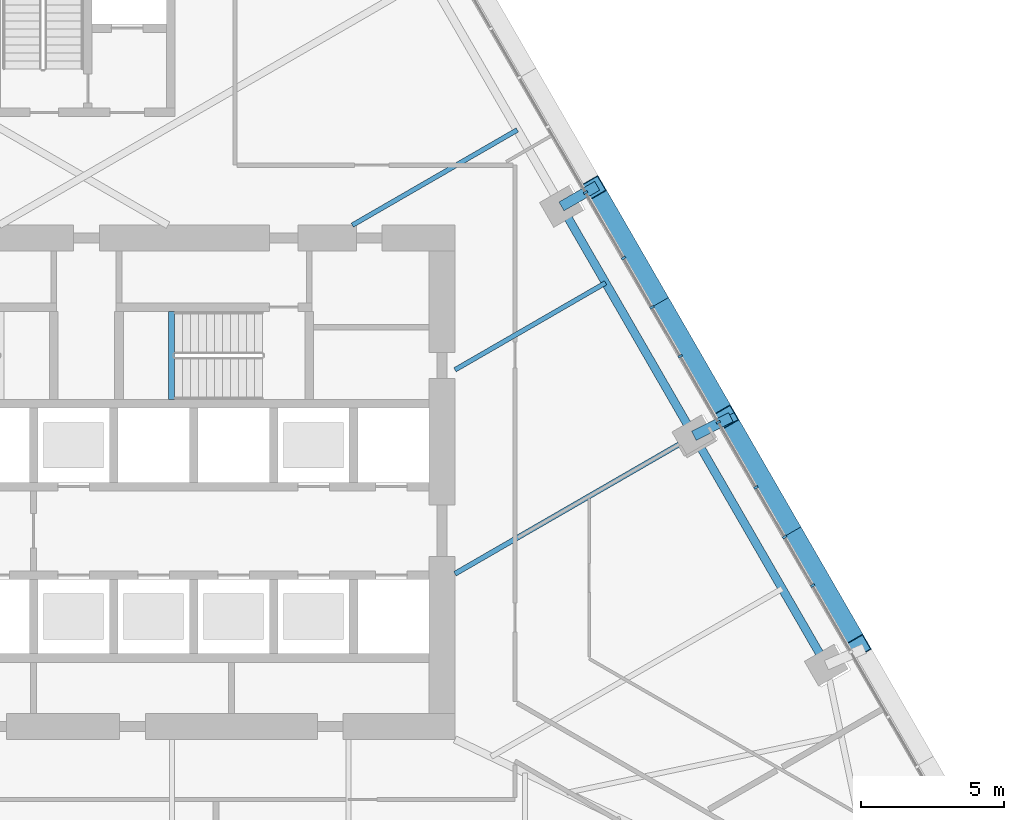
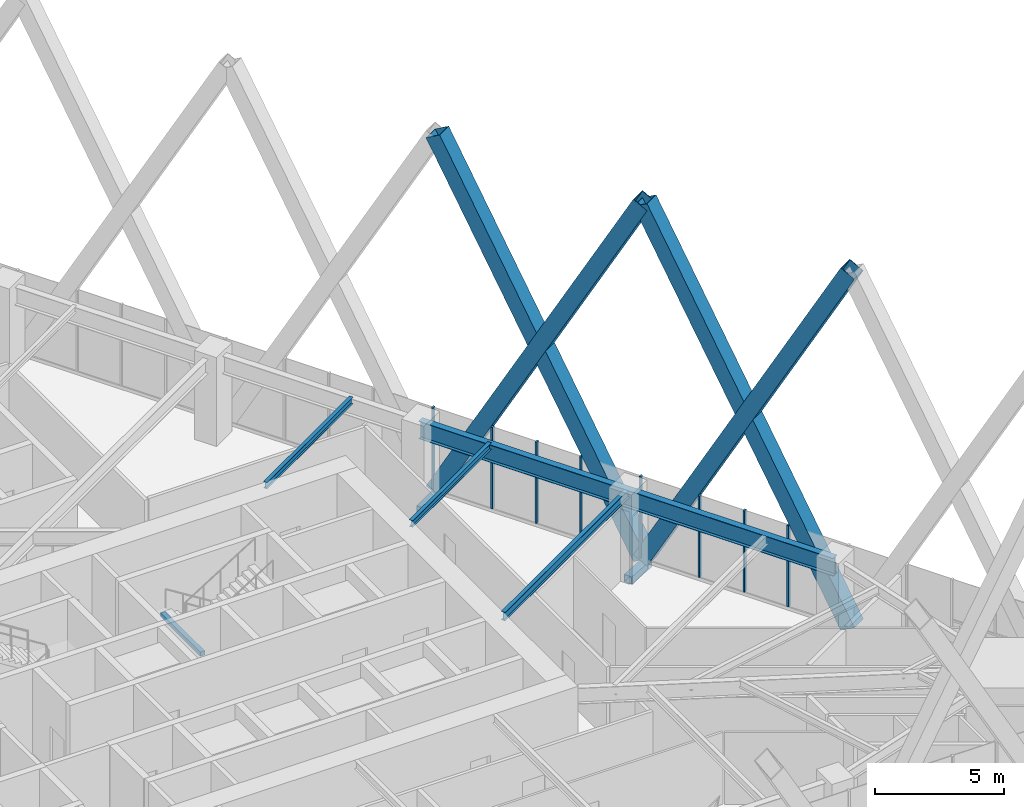
# One storey, part 7 of 19: 14 members, 5 beams, 1 element without a shape of its own.
"""IFC4 building model written with IfcOpenShell, lengths in metres."""

from ifc_helpers import new_model, si_unit, direction, frame, origin, origin_2d, place, context, subcontext, project, spatial, rectangle, hollow_rectangle, i_section, extrude, material, layer, layer_set, material_profile, profile_set, type_object, element, aggregate, save


model = new_model("IFC4")

# Units and contexts
model_context = context("Model", 3, precision=1e-05, world=origin(), true_north=direction((0.0, 1.0)))
body_context = subcontext(model_context, "Body", "Model", "MODEL_VIEW")
ifc_project = project(units=[si_unit("LENGTHUNIT", "METRE"), si_unit("AREAUNIT", "SQUARE_METRE"), si_unit("VOLUMEUNIT", "CUBIC_METRE"), si_unit("PLANEANGLEUNIT", "RADIAN"), si_unit("MASSUNIT", "GRAM", prefix="KILO")], contexts=[model_context])

# Site, building, storey
site_placement = place(None, origin())
site = spatial("IfcSite", under=ifc_project, at=site_placement, CompositionType="ELEMENT")
building_placement = place(site_placement, origin())
building = spatial("IfcBuilding", under=site, at=building_placement, Name="Firuza Gate Tower and Library", CompositionType="ELEMENT")
storey_placement = place(building_placement, frame((0.0, 0.0, 124.0)))
storey = spatial("IfcBuildingStorey", under=building, at=storey_placement, Name="L28", CompositionType="ELEMENT", Elevation=124.0)

# Members
ifc_material_1 = material(Name="Steel S355", Category="steel")
ifc_material_profile_1 = material_profile(ifc_material_1, hollow_rectangle(XDim=0.699951171875, YDim=0.699951171875, WallThickness=0.030029296875, at=origin_2d()))
ifc_profile_set_1 = profile_set([ifc_material_profile_1], Name="Steel S355")
member_type_1 = type_object("IfcMemberType", Name="BU700x700x30 Lattice brace", PredefinedType="BRACE", material=ifc_profile_set_1)
for number, where, z_axis, x_axis, name in (
    (1, (102.127197265625, 69.24853515625, 0.0), (-0.241608783829, 0.418470484936, 0.875504225469), (-0.866021159116, -0.500007351908, 0.0), "Lattice brace E 6.2R"),
    (2, (97.490966796875, 77.278564453125, 0.0), (0.241608783829, -0.418470484936, 0.875504225469), (0.866021159116, 0.500007351908, 0.0), "Lattice brace E 6.2L"),
    (3, (97.490966796875, 77.278564453125, 0.0), (-0.241608783829, 0.418470484936, 0.875504225469), (-0.866021159116, -0.500007351908, 0.0), "Lattice brace E 6.3R"),
    (4, (92.854736328125, 85.30859375, 0.0), (0.241608783829, -0.418470484936, 0.875504225469), (0.866021159116, 0.500007351908, 0.0), "Lattice brace E 6.3L"),
):
    element("IfcMember", number, at=place(storey_placement, frame(where, z_axis=z_axis, x_axis=x_axis)), inside=storey, type_object=member_type_1, Name=name, PredefinedType="BRACE", context=body_context, shape_type="SweptSolid", body=[
        extrude(hollow_rectangle(XDim=0.699951171875, YDim=0.699951171875, WallThickness=0.030029296875, at=origin_2d()), origin(), (0.0, 0.0, 1.0), 19.18896484375),
    ])

# Curtain wall, members
ifc_material_2 = material(Name="Aluminium 6063-T6", Category="aluminium")
ifc_layer = layer(ifc_material_2, 0.14990234375)
ifc_layer_set = layer_set([ifc_layer], Name="Unitised curtain wall, offices")
curtain_wall_type = type_object("IfcCurtainWallType", Name="Unitised curtain wall, offices", PredefinedType="NOTDEFINED", material=ifc_layer_set)
curtain_wall_placement = place(storey_placement, origin())
curtain_wall = element("IfcCurtainWall", 5, at=curtain_wall_placement, inside=storey, type_object=curtain_wall_type, Name="CW1 L28 E face", PredefinedType="NOTDEFINED")
ifc_material_3 = material(Name="Aluminium 6063-T6", Category="aluminium")
ifc_material_profile_2 = material_profile(ifc_material_3, rectangle(XDim=0.14990234375, YDim=0.080078125, at=origin_2d()))
ifc_profile_set_2 = profile_set([ifc_material_profile_2], Name="Aluminium 6063-T6")
member_type_2 = type_object("IfcMemberType", Name="Curtain wall mullion 80x150", PredefinedType="MULLION", material=ifc_profile_set_2)
member_1_placement = place(storey_placement, frame((99.538330078125, 73.082275390625, 0.14990234375), z_axis=(0.0, 0.0, 1.0), x_axis=(-0.866025403784, -0.5, 0.0)))
member_1 = element("IfcMember", 6, at=member_1_placement, type_object=member_type_2, Name="Mullion", PredefinedType="MULLION", context=body_context, shape_type="SweptSolid", body=[
    extrude(rectangle(XDim=0.14990234375, YDim=0.080078125, at=origin_2d()), origin(), (0.0, 0.0, 1.0), 3.85009765625),
])
member_2_placement = place(storey_placement, frame((97.216796875, 77.103515625, 0.14990234375), z_axis=(0.0, 0.0, 1.0), x_axis=(-0.866025403784, -0.5, 0.0)))
member_2 = element("IfcMember", 7, at=member_2_placement, type_object=member_type_2, Name="Mullion", PredefinedType="MULLION", context=body_context, shape_type="SweptSolid", body=[
    extrude(rectangle(XDim=0.14990234375, YDim=0.080078125, at=origin_2d()), origin(), (0.0, 0.0, 1.0), 3.85009765625),
])
member_3_placement = place(storey_placement, frame((94.89501953125, 81.124755859375, 0.14990234375), z_axis=(0.0, 0.0, 1.0), x_axis=(-0.866025403784, -0.5, 0.0)))
member_3 = element("IfcMember", 8, at=member_3_placement, type_object=member_type_2, Name="Mullion", PredefinedType="MULLION", context=body_context, shape_type="SweptSolid", body=[
    extrude(rectangle(XDim=0.14990234375, YDim=0.080078125, at=origin_2d()), origin(), (0.0, 0.0, 1.0), 3.85009765625),
])
member_4_placement = place(storey_placement, frame((92.573486328125, 85.14599609375, 0.14990234375), z_axis=(0.0, 0.0, 1.0), x_axis=(-0.866025403784, -0.5, 0.0)))
member_4 = element("IfcMember", 9, at=member_4_placement, type_object=member_type_2, Name="Mullion", PredefinedType="MULLION", context=body_context, shape_type="SweptSolid", body=[
    extrude(rectangle(XDim=0.14990234375, YDim=0.080078125, at=origin_2d()), origin(), (0.0, 0.0, 1.0), 3.85009765625),
])
member_5_placement = place(storey_placement, frame((100.51953125, 71.383056640625, 0.14990234375), z_axis=(0.0, 0.0, 1.0), x_axis=(-0.866025403784, -0.5, 0.0)))
member_5 = element("IfcMember", 10, at=member_5_placement, type_object=member_type_2, Name="Mullion", PredefinedType="MULLION", context=body_context, shape_type="SweptSolid", body=[
    extrude(rectangle(XDim=0.14990234375, YDim=0.080078125, at=origin_2d()), origin(), (0.0, 0.0, 1.0), 3.85009765625),
])
member_6_placement = place(storey_placement, frame((98.53564453125, 74.81884765625, 0.14990234375), z_axis=(0.0, 0.0, 1.0), x_axis=(-0.866025403784, -0.5, 0.0)))
member_6 = element("IfcMember", 11, at=member_6_placement, type_object=member_type_2, Name="Mullion", PredefinedType="MULLION", context=body_context, shape_type="SweptSolid", body=[
    extrude(rectangle(XDim=0.14990234375, YDim=0.080078125, at=origin_2d()), origin(), (0.0, 0.0, 1.0), 3.85009765625),
])
member_7_placement = place(storey_placement, frame((95.88330078125, 79.4130859375, 0.14990234375), z_axis=(0.0, 0.0, 1.0), x_axis=(-0.866025403784, -0.5, 0.0)))
member_7 = element("IfcMember", 12, at=member_7_placement, type_object=member_type_2, Name="Mullion", PredefinedType="MULLION", context=body_context, shape_type="SweptSolid", body=[
    extrude(rectangle(XDim=0.14990234375, YDim=0.080078125, at=origin_2d()), origin(), (0.0, 0.0, 1.0), 3.85009765625),
])
member_8_placement = place(storey_placement, frame((93.899658203125, 82.848876953125, 0.14990234375), z_axis=(0.0, 0.0, 1.0), x_axis=(-0.866025403784, -0.5, 0.0)))
member_8 = element("IfcMember", 13, at=member_8_placement, type_object=member_type_2, Name="Mullion", PredefinedType="MULLION", context=body_context, shape_type="SweptSolid", body=[
    extrude(rectangle(XDim=0.14990234375, YDim=0.080078125, at=origin_2d()), origin(), (0.0, 0.0, 1.0), 3.85009765625),
])
aggregate(curtain_wall, [member_1, member_2, member_3, member_4, member_5, member_6, member_7, member_8])

# Members
ifc_material_4 = material(Name="Steel S355", Category="steel")
ifc_material_profile_3 = material_profile(ifc_material_4, hollow_rectangle(XDim=0.355712890625, YDim=0.355712890625, WallThickness=0.014892578125, at=origin_2d()))
ifc_profile_set_3 = profile_set([ifc_material_profile_3], Name="Steel S355")
member_type_3 = type_object("IfcMemberType", Name="HSS356x356x16 Lattice node tie", PredefinedType="BRACE", material=ifc_profile_set_3)
member_9_placement = place(storey_placement, frame((91.72900390625, 84.658447265625, -0.320068359375), z_axis=(0.866036153491, 0.4999813805, 0.0), x_axis=(-0.4999813805, 0.866036153491, 0.0)))
element("IfcMember", 14, at=member_9_placement, inside=storey, type_object=member_type_3, Name="Lattice node tie E L28 109", PredefinedType="BRACE", context=body_context, shape_type="SweptSolid", body=[
    extrude(hollow_rectangle(XDim=0.355712890625, YDim=0.355712890625, WallThickness=0.014892578125, at=origin_2d()), origin(), (0.0, 0.0, 1.0), 1.44189453125),
])
member_10_placement = place(storey_placement, frame((96.365234375, 76.62841796875, -0.320068359375), z_axis=(0.892934581472, 0.450186442723, 0.0), x_axis=(-0.450186442723, 0.892934581472, 0.0)))
element("IfcMember", 15, at=member_10_placement, inside=storey, type_object=member_type_3, Name="Lattice node tie E L28 110", PredefinedType="BRACE", context=body_context, shape_type="SweptSolid", body=[
    extrude(hollow_rectangle(XDim=0.355712890625, YDim=0.355712890625, WallThickness=0.014892578125, at=origin_2d()), origin(), (0.0, 0.0, 1.0), 1.444091796875),
])

# Beams
ifc_material_5 = material(Name="Concrete C35/45", Category="concrete")
ifc_material_profile_4 = material_profile(ifc_material_5, rectangle(XDim=0.199951171875, YDim=0.199951171875, at=origin_2d()))
ifc_profile_set_4 = profile_set([ifc_material_profile_4], Name="Concrete C35/45")
beam_type_1 = type_object("IfcBeamType", Name="Stair landing bearer 200x200", PredefinedType="BEAM", material=ifc_profile_set_4)
beam_1_placement = place(storey_placement, frame((78.080078125, 80.97998046875, 1.800048828125), z_axis=(0.0, -1.0, 0.0), x_axis=(1.0, 0.0, 0.0)))
element("IfcBeam", 16, at=beam_1_placement, inside=storey, type_object=beam_type_1, Name="Landing bearer L28 stair 2", PredefinedType="BEAM", context=body_context, shape_type="SweptSolid", body=[
    extrude(rectangle(XDim=0.199951171875, YDim=0.199951171875, at=origin_2d()), origin(), (0.0, 0.0, 1.0), 3.080078125),
])
ifc_material_6 = material(Name="Steel S355", Category="steel")
ifc_material_profile_5 = material_profile(ifc_material_6, i_section(OverallWidth=0.1650390625, OverallDepth=0.31005859375, WebThickness=0.005859375, FlangeThickness=0.009765625, at=origin_2d()))
ifc_profile_set_5 = profile_set([ifc_material_profile_5], Name="Steel S355")
beam_type_2 = type_object("IfcBeamType", Name="W310x39 Floor beam", PredefinedType="JOIST", material=ifc_profile_set_5)
beam_2_placement = place(storey_placement, frame((93.2744140625, 81.98193359375, 3.844970703125), z_axis=(-0.866026709368, -0.499997738657, 0.0), x_axis=(0.499997738657, -0.866026709368, 0.0)))
element("IfcBeam", 17, at=beam_2_placement, inside=storey, type_object=beam_type_2, Name="Floor beam L28 s52", PredefinedType="JOIST", context=body_context, shape_type="SweptSolid", body=[
    extrude(i_section(OverallWidth=0.1650390625, OverallDepth=0.31005859375, WebThickness=0.005859375, FlangeThickness=0.009765625, at=origin_2d()), origin(), (0.0, 0.0, 1.0), 6.09033203125),
])
beam_3_placement = place(storey_placement, frame((90.18359375, 87.335205078125, 3.844970703125), z_axis=(-0.866020406929, -0.500008654708, 0.0), x_axis=(0.500008654708, -0.866020406929, 0.0)))
element("IfcBeam", 18, at=beam_3_placement, inside=storey, type_object=beam_type_2, Name="Floor beam L28 s53", PredefinedType="JOIST", context=body_context, shape_type="SweptSolid", body=[
    extrude(i_section(OverallWidth=0.1650390625, OverallDepth=0.31005859375, WebThickness=0.005859375, FlangeThickness=0.009765625, at=origin_2d()), origin(), (0.0, 0.0, 1.0), 6.67041015625),
])
ifc_material_7 = material(Name="Steel S355", Category="steel")
ifc_material_profile_6 = material_profile(ifc_material_7, i_section(OverallWidth=0.177978515625, OverallDepth=0.406982421875, WebThickness=0.0078125, FlangeThickness=0.0126953125, at=origin_2d()))
ifc_profile_set_6 = profile_set([ifc_material_profile_6], Name="Steel S355")
beam_type_3 = type_object("IfcBeamType", Name="W410x60 Floor beam", PredefinedType="JOIST", material=ifc_profile_set_6)
beam_4_placement = place(storey_placement, frame((96.365234375, 76.62841796875, 3.79638671875), z_axis=(-0.866029011319, -0.499993751515, 0.0), x_axis=(0.499993751515, -0.866029011319, 0.0)))
element("IfcBeam", 19, at=beam_4_placement, inside=storey, type_object=beam_type_3, Name="Floor beam L28 s51", PredefinedType="JOIST", context=body_context, shape_type="SweptSolid", body=[
    extrude(i_section(OverallWidth=0.177978515625, OverallDepth=0.406982421875, WebThickness=0.0078125, FlangeThickness=0.0126953125, at=origin_2d()), origin(), (0.0, 0.0, 1.0), 9.6591796875),
])
ifc_material_8 = material(Name="Steel S355", Category="steel")
ifc_material_profile_7 = material_profile(ifc_material_8, i_section(OverallWidth=0.2919921875, OverallDepth=0.8349609375, WebThickness=0.013916015625, FlangeThickness=0.018798828125, at=origin_2d()))
ifc_profile_set_7 = profile_set([ifc_material_profile_7], Name="Steel S355")
beam_type_4 = type_object("IfcBeamType", Name="W840x176 Edge beam", PredefinedType="SPANDREL", material=ifc_profile_set_7)
beam_5_placement = place(storey_placement, frame((101.001220703125, 68.598388671875, 3.58251953125), z_axis=(-0.499997478145, 0.866026859773, 0.0), x_axis=(-0.866026859773, -0.499997478145, 0.0)))
element("IfcBeam", 20, at=beam_5_placement, inside=storey, type_object=beam_type_4, Name="Edge beam L28 e50", PredefinedType="SPANDREL", context=body_context, shape_type="SweptSolid", body=[
    extrude(i_section(OverallWidth=0.2919921875, OverallDepth=0.8349609375, WebThickness=0.013916015625, FlangeThickness=0.018798828125, at=origin_2d()), origin(), (0.0, 0.0, 1.0), 18.54443359375),
])

save(model, "model.ifc")
